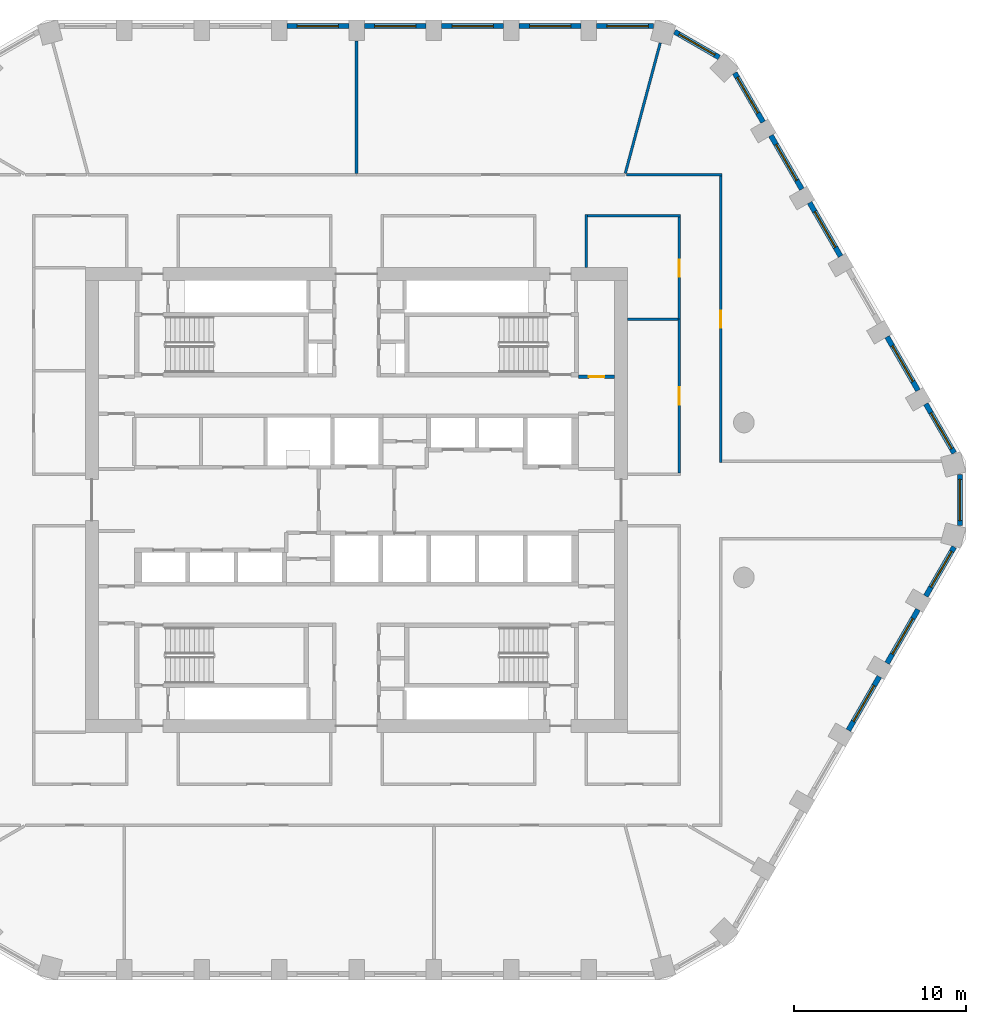
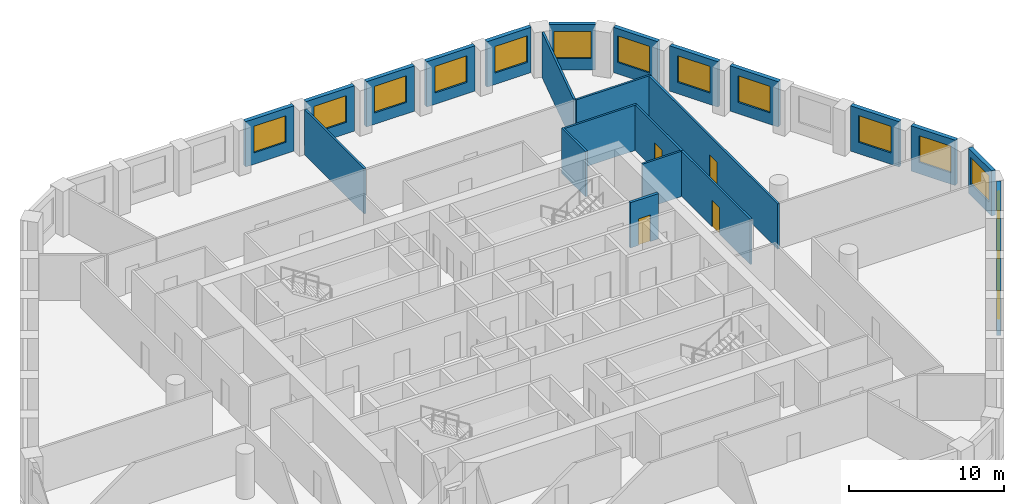
# One storey, part 8 of 10: 25 walls, 15 windows, 4 doors, 19 openings.
"""IFC4 building model written with IfcOpenShell, lengths in metres."""

from ifc_helpers import new_model, si_unit, direction, frame, frame_2d, origin, place, context, subcontext, project, spatial, rectangle, extrude, material, layer, layer_set, type_object, element, fill, save


model = new_model("IFC4")

# Units and contexts
model_context = context("Model", 3, precision=1e-05, world=origin(), true_north=direction((0.0, 1.0)))
body_context = subcontext(model_context, "Body", "Model", "MODEL_VIEW")
ifc_project = project(units=[si_unit("LENGTHUNIT", "METRE"), si_unit("AREAUNIT", "SQUARE_METRE"), si_unit("VOLUMEUNIT", "CUBIC_METRE"), si_unit("PLANEANGLEUNIT", "RADIAN"), si_unit("MASSUNIT", "GRAM", prefix="KILO")], contexts=[model_context])

# Site, building, storey
site_placement = place(None, origin())
site = spatial("IfcSite", under=ifc_project, at=site_placement, CompositionType="ELEMENT")
building_placement = place(site_placement, origin())
building = spatial("IfcBuilding", under=site, at=building_placement, Name="Dhurran Vertical Campus", CompositionType="ELEMENT")
storey_placement = place(building_placement, frame((0.0, 0.0, 152.10009765625)))
storey = spatial("IfcBuildingStorey", under=building, at=storey_placement, Name="L37", CompositionType="ELEMENT", Elevation=152.10009765625)

# Wall, opening, window
ifc_material_1 = material(Name="Precast concrete C50/60", Category="concrete")
ifc_layer_1 = layer(ifc_material_1, 0.300048828125)
ifc_layer_set_1 = layer_set([ifc_layer_1], Name="Precast concrete C50/60")
wall_type_1 = type_object("IfcWallType", Name="Precast spandrel wall 300", PredefinedType="SOLIDWALL", material=ifc_layer_set_1)
wall_1_placement = place(storey_placement, frame((28.5693359375, -13.376220703125, 0.0), z_axis=(0.0, 0.0, 1.0), x_axis=(0.500027802648, 0.866009351323, 0.0)))
wall_1 = element("IfcWall", 1, at=wall_1_placement, inside=storey, type_object=wall_type_1, Name="EW1 L37.12", PredefinedType="SOLIDWALL", context=body_context, shape_type="SweptSolid", body=[
    extrude(rectangle(XDim=3.598876953125, YDim=0.300048828125, at=frame_2d((1.79931640625, 0.0))), origin(), (0.0, 0.0, 1.0), 3.574951171875),
])
opening_1_placement = place(wall_1_placement, frame((0.599609375, 0.0, 0.89990234375)))
opening_1 = element("IfcOpeningElement", 2, at=opening_1_placement, cuts=wall_1, Name="Opening WT1", PredefinedType="OPENING", context=body_context, shape_type="SweptSolid", body=[
    extrude(rectangle(XDim=2.39990234375, YDim=2.10009765625, at=frame_2d((1.199951171875, 1.050048828125))), frame((0.0, 0.159912109375, 0.0), z_axis=(0.0, -1.0, 0.0), x_axis=(1.0, 0.0, 0.0)), (0.0, 0.0, 1.0), 0.320068359375),
])
ifc_material_2 = material(Name="Aluminium frame with solar-control glass", Category="aluminium")
window_type = type_object("IfcWindowType", Name="Punched window 2400 x 2100", PartitioningType="SINGLE_PANEL", PredefinedType="WINDOW", material=ifc_material_2)
window_1_placement = place(opening_1_placement, origin())
window_1 = element("IfcWindow", 3, at=window_1_placement, inside=storey, type_object=window_type, Name="WT1 L37.12", OverallHeight=2.10009765625, OverallWidth=2.39990234375, PartitioningType="SINGLE_PANEL", PredefinedType="WINDOW", context=body_context, shape_type="SweptSolid", body=[
    extrude(rectangle(XDim=2.39990234375, YDim=2.10009765625, at=frame_2d((1.199951171875, 1.050048828125))), frame((0.0, 0.030029296875, 0.0), z_axis=(0.0, -1.0, 0.0), x_axis=(1.0, 0.0, 0.0)), (0.0, 0.0, 1.0), 0.06005859375),
])
fill(opening_1, window_1)

wall_2_placement = place(storey_placement, frame((30.8193359375, -9.47900390625, 0.0), z_axis=(0.0, 0.0, 1.0), x_axis=(0.500027802648, 0.866009351323, 0.0)))
wall_2 = element("IfcWall", 4, at=wall_2_placement, inside=storey, type_object=wall_type_1, Name="EW1 L37.13", PredefinedType="SOLIDWALL", context=body_context, shape_type="SweptSolid", body=[
    extrude(rectangle(XDim=3.598876953125, YDim=0.300048828125, at=frame_2d((1.79931640625, 0.0))), origin(), (0.0, 0.0, 1.0), 3.574951171875),
])
opening_2_placement = place(wall_2_placement, frame((0.599609375, 0.0, 0.89990234375)))
opening_2 = element("IfcOpeningElement", 5, at=opening_2_placement, cuts=wall_2, Name="Opening WT1", PredefinedType="OPENING", context=body_context, shape_type="SweptSolid", body=[
    extrude(rectangle(XDim=2.39990234375, YDim=2.10009765625, at=frame_2d((1.199951171875, 1.050048828125))), frame((0.0, 0.159912109375, 0.0), z_axis=(0.0, -1.0, 0.0), x_axis=(1.0, 0.0, 0.0)), (0.0, 0.0, 1.0), 0.320068359375),
])
window_2_placement = place(opening_2_placement, origin())
window_2 = element("IfcWindow", 6, at=window_2_placement, inside=storey, type_object=window_type, Name="WT1 L37.13", OverallHeight=2.10009765625, OverallWidth=2.39990234375, PartitioningType="SINGLE_PANEL", PredefinedType="WINDOW", context=body_context, shape_type="SweptSolid", body=[
    extrude(rectangle(XDim=2.39990234375, YDim=2.10009765625, at=frame_2d((1.199951171875, 1.050048828125))), frame((0.0, 0.030029296875, 0.0), z_axis=(0.0, -1.0, 0.0), x_axis=(1.0, 0.0, 0.0)), (0.0, 0.0, 1.0), 0.06005859375),
])
fill(opening_2, window_2)

wall_3_placement = place(storey_placement, frame((33.0693359375, -5.58203125, 0.0), z_axis=(0.0, 0.0, 1.0), x_axis=(0.499981217486, 0.866036247602, 0.0)))
wall_3 = element("IfcWall", 7, at=wall_3_placement, inside=storey, type_object=wall_type_1, Name="EW1 L37.14", PredefinedType="SOLIDWALL", context=body_context, shape_type="SweptSolid", body=[
    extrude(rectangle(XDim=3.294189453125, YDim=0.300048828125, at=frame_2d((1.64697265625, 0.0))), origin(), (0.0, 0.0, 1.0), 3.574951171875),
])
opening_3_placement = place(wall_3_placement, frame((0.599609375, 0.0, 0.89990234375)))
opening_3 = element("IfcOpeningElement", 8, at=opening_3_placement, cuts=wall_3, Name="Opening WT1", PredefinedType="OPENING", context=body_context, shape_type="SweptSolid", body=[
    extrude(rectangle(XDim=2.39990234375, YDim=2.10009765625, at=frame_2d((1.199951171875, 1.050048828125))), frame((0.0, 0.159912109375, 0.0), z_axis=(0.0, -1.0, 0.0), x_axis=(1.0, 0.0, 0.0)), (0.0, 0.0, 1.0), 0.320068359375),
])
window_3_placement = place(opening_3_placement, origin())
window_3 = element("IfcWindow", 9, at=window_3_placement, inside=storey, type_object=window_type, Name="WT1 L37.14", OverallHeight=2.10009765625, OverallWidth=2.39990234375, PartitioningType="SINGLE_PANEL", PredefinedType="WINDOW", context=body_context, shape_type="SweptSolid", body=[
    extrude(rectangle(XDim=2.39990234375, YDim=2.10009765625, at=frame_2d((1.199951171875, 1.050048828125))), frame((0.0, 0.030029296875, 0.0), z_axis=(0.0, -1.0, 0.0), x_axis=(1.0, 0.0, 0.0)), (0.0, 0.0, 1.0), 0.06005859375),
])
fill(opening_3, window_3)

wall_4_placement = place(storey_placement, frame((35.047119140625, -1.49462890625, 0.0), z_axis=(0.0, 0.0, 1.0), x_axis=(0.0, 1.0, 0.0)))
wall_4 = element("IfcWall", 10, at=wall_4_placement, inside=storey, type_object=wall_type_1, Name="EW1 L37.15", PredefinedType="SOLIDWALL", context=body_context, shape_type="SweptSolid", body=[
    extrude(rectangle(XDim=2.9892578125, YDim=0.300048828125, at=frame_2d((1.49462890625, 0.0))), origin(), (0.0, 0.0, 1.0), 3.574951171875),
])
opening_4_placement = place(wall_4_placement, frame((0.294677734375, 0.0, 0.89990234375)))
opening_4 = element("IfcOpeningElement", 11, at=opening_4_placement, cuts=wall_4, Name="Opening WT1", PredefinedType="OPENING", context=body_context, shape_type="SweptSolid", body=[
    extrude(rectangle(XDim=2.39990234375, YDim=2.10009765625, at=frame_2d((1.199951171875, 1.050048828125))), frame((0.0, 0.159912109375, 0.0), z_axis=(0.0, -1.0, 0.0), x_axis=(1.0, 0.0, 0.0)), (0.0, 0.0, 1.0), 0.320068359375),
])
window_4_placement = place(opening_4_placement, origin())
window_4 = element("IfcWindow", 12, at=window_4_placement, inside=storey, type_object=window_type, Name="WT1 L37.15", OverallHeight=2.10009765625, OverallWidth=2.39990234375, PartitioningType="SINGLE_PANEL", PredefinedType="WINDOW", context=body_context, shape_type="SweptSolid", body=[
    extrude(rectangle(XDim=2.39990234375, YDim=2.10009765625, at=frame_2d((1.199951171875, 1.050048828125))), frame((0.0, 0.030029296875, 0.0), z_axis=(0.0, -1.0, 0.0), x_axis=(1.0, 0.0, 0.0)), (0.0, 0.0, 1.0), 0.06005859375),
])
fill(opening_4, window_4)

wall_5_placement = place(storey_placement, frame((34.71630859375, 2.729248046875, 0.0), z_axis=(0.0, 0.0, 1.0), x_axis=(-0.499981217486, 0.866036247602, 0.0)))
wall_5 = element("IfcWall", 13, at=wall_5_placement, inside=storey, type_object=wall_type_1, Name="EW1 L37.16", PredefinedType="SOLIDWALL", context=body_context, shape_type="SweptSolid", body=[
    extrude(rectangle(XDim=3.294189453125, YDim=0.300048828125, at=frame_2d((1.64697265625, 0.0))), origin(), (0.0, 0.0, 1.0), 3.574951171875),
])
opening_5_placement = place(wall_5_placement, frame((0.294677734375, 0.0, 0.89990234375)))
opening_5 = element("IfcOpeningElement", 14, at=opening_5_placement, cuts=wall_5, Name="Opening WT1", PredefinedType="OPENING", context=body_context, shape_type="SweptSolid", body=[
    extrude(rectangle(XDim=2.39990234375, YDim=2.10009765625, at=frame_2d((1.199951171875, 1.050048828125))), frame((0.0, 0.159912109375, 0.0), z_axis=(0.0, -1.0, 0.0), x_axis=(1.0, 0.0, 0.0)), (0.0, 0.0, 1.0), 0.320068359375),
])
window_5_placement = place(opening_5_placement, origin())
window_5 = element("IfcWindow", 15, at=window_5_placement, inside=storey, type_object=window_type, Name="WT1 L37.16", OverallHeight=2.10009765625, OverallWidth=2.39990234375, PartitioningType="SINGLE_PANEL", PredefinedType="WINDOW", context=body_context, shape_type="SweptSolid", body=[
    extrude(rectangle(XDim=2.39990234375, YDim=2.10009765625, at=frame_2d((1.199951171875, 1.050048828125))), frame((0.0, 0.030029296875, 0.0), z_axis=(0.0, -1.0, 0.0), x_axis=(1.0, 0.0, 0.0)), (0.0, 0.0, 1.0), 0.06005859375),
])
fill(opening_5, window_5)

wall_6_placement = place(storey_placement, frame((32.618896484375, 6.3623046875, 0.0), z_axis=(0.0, 0.0, 1.0), x_axis=(-0.500027802648, 0.866009351323, 0.0)))
wall_6 = element("IfcWall", 16, at=wall_6_placement, inside=storey, type_object=wall_type_1, Name="EW1 L37.17", PredefinedType="SOLIDWALL", context=body_context, shape_type="SweptSolid", body=[
    extrude(rectangle(XDim=3.598876953125, YDim=0.300048828125, at=frame_2d((1.79931640625, 0.0))), origin(), (0.0, 0.0, 1.0), 3.574951171875),
])
opening_6_placement = place(wall_6_placement, frame((0.599609375, 0.0, 0.89990234375)))
opening_6 = element("IfcOpeningElement", 17, at=opening_6_placement, cuts=wall_6, Name="Opening WT1", PredefinedType="OPENING", context=body_context, shape_type="SweptSolid", body=[
    extrude(rectangle(XDim=2.39990234375, YDim=2.10009765625, at=frame_2d((1.199951171875, 1.050048828125))), frame((0.0, 0.159912109375, 0.0), z_axis=(0.0, -1.0, 0.0), x_axis=(1.0, 0.0, 0.0)), (0.0, 0.0, 1.0), 0.320068359375),
])
window_6_placement = place(opening_6_placement, origin())
window_6 = element("IfcWindow", 18, at=window_6_placement, inside=storey, type_object=window_type, Name="WT1 L37.17", OverallHeight=2.10009765625, OverallWidth=2.39990234375, PartitioningType="SINGLE_PANEL", PredefinedType="WINDOW", context=body_context, shape_type="SweptSolid", body=[
    extrude(rectangle(XDim=2.39990234375, YDim=2.10009765625, at=frame_2d((1.199951171875, 1.050048828125))), frame((0.0, 0.030029296875, 0.0), z_axis=(0.0, -1.0, 0.0), x_axis=(1.0, 0.0, 0.0)), (0.0, 0.0, 1.0), 0.06005859375),
])
fill(opening_6, window_6)

wall_7_placement = place(storey_placement, frame((28.118896484375, 14.156494140625, 0.0), z_axis=(0.0, 0.0, 1.0), x_axis=(-0.500027802648, 0.866009351323, 0.0)))
wall_7 = element("IfcWall", 19, at=wall_7_placement, inside=storey, type_object=wall_type_1, Name="EW1 L37.19", PredefinedType="SOLIDWALL", context=body_context, shape_type="SweptSolid", body=[
    extrude(rectangle(XDim=3.598876953125, YDim=0.300048828125, at=frame_2d((1.79931640625, 0.0))), origin(), (0.0, 0.0, 1.0), 3.574951171875),
])
opening_7_placement = place(wall_7_placement, frame((0.599609375, 0.0, 0.89990234375)))
opening_7 = element("IfcOpeningElement", 20, at=opening_7_placement, cuts=wall_7, Name="Opening WT1", PredefinedType="OPENING", context=body_context, shape_type="SweptSolid", body=[
    extrude(rectangle(XDim=2.39990234375, YDim=2.10009765625, at=frame_2d((1.199951171875, 1.050048828125))), frame((0.0, 0.159912109375, 0.0), z_axis=(0.0, -1.0, 0.0), x_axis=(1.0, 0.0, 0.0)), (0.0, 0.0, 1.0), 0.320068359375),
])
window_7_placement = place(opening_7_placement, origin())
window_7 = element("IfcWindow", 21, at=window_7_placement, inside=storey, type_object=window_type, Name="WT1 L37.19", OverallHeight=2.10009765625, OverallWidth=2.39990234375, PartitioningType="SINGLE_PANEL", PredefinedType="WINDOW", context=body_context, shape_type="SweptSolid", body=[
    extrude(rectangle(XDim=2.39990234375, YDim=2.10009765625, at=frame_2d((1.199951171875, 1.050048828125))), frame((0.0, 0.030029296875, 0.0), z_axis=(0.0, -1.0, 0.0), x_axis=(1.0, 0.0, 0.0)), (0.0, 0.0, 1.0), 0.06005859375),
])
fill(opening_7, window_7)

wall_8_placement = place(storey_placement, frame((25.868896484375, 18.0537109375, 0.0), z_axis=(0.0, 0.0, 1.0), x_axis=(-0.500027802648, 0.866009351323, 0.0)))
wall_8 = element("IfcWall", 22, at=wall_8_placement, inside=storey, type_object=wall_type_1, Name="EW1 L37.20", PredefinedType="SOLIDWALL", context=body_context, shape_type="SweptSolid", body=[
    extrude(rectangle(XDim=3.598876953125, YDim=0.300048828125, at=frame_2d((1.79931640625, 0.0))), origin(), (0.0, 0.0, 1.0), 3.574951171875),
])
opening_8_placement = place(wall_8_placement, frame((0.599609375, 0.0, 0.89990234375)))
opening_8 = element("IfcOpeningElement", 23, at=opening_8_placement, cuts=wall_8, Name="Opening WT1", PredefinedType="OPENING", context=body_context, shape_type="SweptSolid", body=[
    extrude(rectangle(XDim=2.39990234375, YDim=2.10009765625, at=frame_2d((1.199951171875, 1.050048828125))), frame((0.0, 0.159912109375, 0.0), z_axis=(0.0, -1.0, 0.0), x_axis=(1.0, 0.0, 0.0)), (0.0, 0.0, 1.0), 0.320068359375),
])
window_8_placement = place(opening_8_placement, origin())
window_8 = element("IfcWindow", 24, at=window_8_placement, inside=storey, type_object=window_type, Name="WT1 L37.20", OverallHeight=2.10009765625, OverallWidth=2.39990234375, PartitioningType="SINGLE_PANEL", PredefinedType="WINDOW", context=body_context, shape_type="SweptSolid", body=[
    extrude(rectangle(XDim=2.39990234375, YDim=2.10009765625, at=frame_2d((1.199951171875, 1.050048828125))), frame((0.0, 0.030029296875, 0.0), z_axis=(0.0, -1.0, 0.0), x_axis=(1.0, 0.0, 0.0)), (0.0, 0.0, 1.0), 0.06005859375),
])
fill(opening_8, window_8)

wall_9_placement = place(storey_placement, frame((23.618896484375, 21.95068359375, 0.0), z_axis=(0.0, 0.0, 1.0), x_axis=(-0.500036802197, 0.866004154983, 0.0)))
wall_9 = element("IfcWall", 25, at=wall_9_placement, inside=storey, type_object=wall_type_1, Name="EW1 L37.21", PredefinedType="SOLIDWALL", context=body_context, shape_type="SweptSolid", body=[
    extrude(rectangle(XDim=3.294189453125, YDim=0.300048828125, at=frame_2d((1.64697265625, 0.0))), origin(), (0.0, 0.0, 1.0), 3.574951171875),
])
opening_9_placement = place(wall_9_placement, frame((0.599609375, 0.0, 0.89990234375)))
opening_9 = element("IfcOpeningElement", 26, at=opening_9_placement, cuts=wall_9, Name="Opening WT1", PredefinedType="OPENING", context=body_context, shape_type="SweptSolid", body=[
    extrude(rectangle(XDim=2.39990234375, YDim=2.10009765625, at=frame_2d((1.199951171875, 1.050048828125))), frame((0.0, 0.159912109375, 0.0), z_axis=(0.0, -1.0, 0.0), x_axis=(1.0, 0.0, 0.0)), (0.0, 0.0, 1.0), 0.320068359375),
])
window_9_placement = place(opening_9_placement, origin())
window_9 = element("IfcWindow", 27, at=window_9_placement, inside=storey, type_object=window_type, Name="WT1 L37.21", OverallHeight=2.10009765625, OverallWidth=2.39990234375, PartitioningType="SINGLE_PANEL", PredefinedType="WINDOW", context=body_context, shape_type="SweptSolid", body=[
    extrude(rectangle(XDim=2.39990234375, YDim=2.10009765625, at=frame_2d((1.199951171875, 1.050048828125))), frame((0.0, 0.030029296875, 0.0), z_axis=(0.0, -1.0, 0.0), x_axis=(1.0, 0.0, 0.0)), (0.0, 0.0, 1.0), 0.06005859375),
])
fill(opening_9, window_9)

wall_10_placement = place(storey_placement, frame((21.06787109375, 25.707275390625, 0.0), z_axis=(0.0, 0.0, 1.0), x_axis=(-0.866012844897, 0.500021752, 0.0)))
wall_10 = element("IfcWall", 28, at=wall_10_placement, inside=storey, type_object=wall_type_1, Name="EW1 L37.22", PredefinedType="SOLIDWALL", context=body_context, shape_type="SweptSolid", body=[
    extrude(rectangle(XDim=2.989013671875, YDim=0.300048828125, at=frame_2d((1.49462890625, 0.0))), origin(), (0.0, 0.0, 1.0), 3.574951171875),
])
opening_10_placement = place(wall_10_placement, frame((0.294677734375, 0.0, 0.89990234375)))
opening_10 = element("IfcOpeningElement", 29, at=opening_10_placement, cuts=wall_10, Name="Opening WT1", PredefinedType="OPENING", context=body_context, shape_type="SweptSolid", body=[
    extrude(rectangle(XDim=2.39990234375, YDim=2.10009765625, at=frame_2d((1.199951171875, 1.050048828125))), frame((0.0, 0.159912109375, 0.0), z_axis=(0.0, -1.0, 0.0), x_axis=(1.0, 0.0, 0.0)), (0.0, 0.0, 1.0), 0.320068359375),
])
window_10_placement = place(opening_10_placement, origin())
window_10 = element("IfcWindow", 30, at=window_10_placement, inside=storey, type_object=window_type, Name="WT1 L37.22", OverallHeight=2.10009765625, OverallWidth=2.39990234375, PartitioningType="SINGLE_PANEL", PredefinedType="WINDOW", context=body_context, shape_type="SweptSolid", body=[
    extrude(rectangle(XDim=2.39990234375, YDim=2.10009765625, at=frame_2d((1.199951171875, 1.050048828125))), frame((0.0, 0.030029296875, 0.0), z_axis=(0.0, -1.0, 0.0), x_axis=(1.0, 0.0, 0.0)), (0.0, 0.0, 1.0), 0.06005859375),
])
fill(opening_10, window_10)

wall_11_placement = place(storey_placement, frame((17.24462890625, 27.53271484375, 0.0), z_axis=(0.0, 0.0, 1.0), x_axis=(-1.0, 0.0, 0.0)))
wall_11 = element("IfcWall", 31, at=wall_11_placement, inside=storey, type_object=wall_type_1, Name="EW1 L37.23", PredefinedType="SOLIDWALL", context=body_context, shape_type="SweptSolid", body=[
    extrude(rectangle(XDim=3.294189453125, YDim=0.300048828125, at=frame_2d((1.64697265625, 0.0))), origin(), (0.0, 0.0, 1.0), 3.574951171875),
])
opening_11_placement = place(wall_11_placement, frame((0.294677734375, 0.0, 0.89990234375)))
opening_11 = element("IfcOpeningElement", 32, at=opening_11_placement, cuts=wall_11, Name="Opening WT1", PredefinedType="OPENING", context=body_context, shape_type="SweptSolid", body=[
    extrude(rectangle(XDim=2.39990234375, YDim=2.10009765625, at=frame_2d((1.199951171875, 1.050048828125))), frame((0.0, 0.159912109375, 0.0), z_axis=(0.0, -1.0, 0.0), x_axis=(1.0, 0.0, 0.0)), (0.0, 0.0, 1.0), 0.320068359375),
])
window_11_placement = place(opening_11_placement, origin())
window_11 = element("IfcWindow", 33, at=window_11_placement, inside=storey, type_object=window_type, Name="WT1 L37.23", OverallHeight=2.10009765625, OverallWidth=2.39990234375, PartitioningType="SINGLE_PANEL", PredefinedType="WINDOW", context=body_context, shape_type="SweptSolid", body=[
    extrude(rectangle(XDim=2.39990234375, YDim=2.10009765625, at=frame_2d((1.199951171875, 1.050048828125))), frame((0.0, 0.030029296875, 0.0), z_axis=(0.0, -1.0, 0.0), x_axis=(1.0, 0.0, 0.0)), (0.0, 0.0, 1.0), 0.06005859375),
])
fill(opening_11, window_11)

wall_12_placement = place(storey_placement, frame((13.049560546875, 27.53271484375, 0.0), z_axis=(0.0, 0.0, 1.0), x_axis=(-1.0, 0.0, 0.0)))
wall_12 = element("IfcWall", 34, at=wall_12_placement, inside=storey, type_object=wall_type_1, Name="EW1 L37.24", PredefinedType="SOLIDWALL", context=body_context, shape_type="SweptSolid", body=[
    extrude(rectangle(XDim=3.59912109375, YDim=0.300048828125, at=frame_2d((1.799560546875, 0.0))), origin(), (0.0, 0.0, 1.0), 3.574951171875),
])
opening_12_placement = place(wall_12_placement, frame((0.599609375, 0.0, 0.89990234375)))
opening_12 = element("IfcOpeningElement", 35, at=opening_12_placement, cuts=wall_12, Name="Opening WT1", PredefinedType="OPENING", context=body_context, shape_type="SweptSolid", body=[
    extrude(rectangle(XDim=2.39990234375, YDim=2.10009765625, at=frame_2d((1.199951171875, 1.050048828125))), frame((0.0, 0.159912109375, 0.0), z_axis=(0.0, -1.0, 0.0), x_axis=(1.0, 0.0, 0.0)), (0.0, 0.0, 1.0), 0.320068359375),
])
window_12_placement = place(opening_12_placement, origin())
window_12 = element("IfcWindow", 36, at=window_12_placement, inside=storey, type_object=window_type, Name="WT1 L37.24", OverallHeight=2.10009765625, OverallWidth=2.39990234375, PartitioningType="SINGLE_PANEL", PredefinedType="WINDOW", context=body_context, shape_type="SweptSolid", body=[
    extrude(rectangle(XDim=2.39990234375, YDim=2.10009765625, at=frame_2d((1.199951171875, 1.050048828125))), frame((0.0, 0.030029296875, 0.0), z_axis=(0.0, -1.0, 0.0), x_axis=(1.0, 0.0, 0.0)), (0.0, 0.0, 1.0), 0.06005859375),
])
fill(opening_12, window_12)

wall_13_placement = place(storey_placement, frame((8.549560546875, 27.53271484375, 0.0), z_axis=(0.0, 0.0, 1.0), x_axis=(-1.0, 0.0, 0.0)))
wall_13 = element("IfcWall", 37, at=wall_13_placement, inside=storey, type_object=wall_type_1, Name="EW1 L37.25", PredefinedType="SOLIDWALL", context=body_context, shape_type="SweptSolid", body=[
    extrude(rectangle(XDim=3.59912109375, YDim=0.300048828125, at=frame_2d((1.799560546875, 0.0))), origin(), (0.0, 0.0, 1.0), 3.574951171875),
])
opening_13_placement = place(wall_13_placement, frame((0.599609375, 0.0, 0.89990234375)))
opening_13 = element("IfcOpeningElement", 38, at=opening_13_placement, cuts=wall_13, Name="Opening WT1", PredefinedType="OPENING", context=body_context, shape_type="SweptSolid", body=[
    extrude(rectangle(XDim=2.39990234375, YDim=2.10009765625, at=frame_2d((1.199951171875, 1.050048828125))), frame((0.0, 0.159912109375, 0.0), z_axis=(0.0, -1.0, 0.0), x_axis=(1.0, 0.0, 0.0)), (0.0, 0.0, 1.0), 0.320068359375),
])
window_13_placement = place(opening_13_placement, origin())
window_13 = element("IfcWindow", 39, at=window_13_placement, inside=storey, type_object=window_type, Name="WT1 L37.25", OverallHeight=2.10009765625, OverallWidth=2.39990234375, PartitioningType="SINGLE_PANEL", PredefinedType="WINDOW", context=body_context, shape_type="SweptSolid", body=[
    extrude(rectangle(XDim=2.39990234375, YDim=2.10009765625, at=frame_2d((1.199951171875, 1.050048828125))), frame((0.0, 0.030029296875, 0.0), z_axis=(0.0, -1.0, 0.0), x_axis=(1.0, 0.0, 0.0)), (0.0, 0.0, 1.0), 0.06005859375),
])
fill(opening_13, window_13)

wall_14_placement = place(storey_placement, frame((4.049560546875, 27.53271484375, 0.0), z_axis=(0.0, 0.0, 1.0), x_axis=(-1.0, 0.0, 0.0)))
wall_14 = element("IfcWall", 40, at=wall_14_placement, inside=storey, type_object=wall_type_1, Name="EW1 L37.26", PredefinedType="SOLIDWALL", context=body_context, shape_type="SweptSolid", body=[
    extrude(rectangle(XDim=3.59912109375, YDim=0.300048828125, at=frame_2d((1.799560546875, 0.0))), origin(), (0.0, 0.0, 1.0), 3.574951171875),
])
opening_14_placement = place(wall_14_placement, frame((0.599609375, 0.0, 0.89990234375)))
opening_14 = element("IfcOpeningElement", 41, at=opening_14_placement, cuts=wall_14, Name="Opening WT1", PredefinedType="OPENING", context=body_context, shape_type="SweptSolid", body=[
    extrude(rectangle(XDim=2.39990234375, YDim=2.10009765625, at=frame_2d((1.199951171875, 1.050048828125))), frame((0.0, 0.159912109375, 0.0), z_axis=(0.0, -1.0, 0.0), x_axis=(1.0, 0.0, 0.0)), (0.0, 0.0, 1.0), 0.320068359375),
])
window_14_placement = place(opening_14_placement, origin())
window_14 = element("IfcWindow", 42, at=window_14_placement, inside=storey, type_object=window_type, Name="WT1 L37.26", OverallHeight=2.10009765625, OverallWidth=2.39990234375, PartitioningType="SINGLE_PANEL", PredefinedType="WINDOW", context=body_context, shape_type="SweptSolid", body=[
    extrude(rectangle(XDim=2.39990234375, YDim=2.10009765625, at=frame_2d((1.199951171875, 1.050048828125))), frame((0.0, 0.030029296875, 0.0), z_axis=(0.0, -1.0, 0.0), x_axis=(1.0, 0.0, 0.0)), (0.0, 0.0, 1.0), 0.06005859375),
])
fill(opening_14, window_14)

wall_15_placement = place(storey_placement, frame((-0.450439453125, 27.53271484375, 0.0), z_axis=(0.0, 0.0, 1.0), x_axis=(-1.0, 0.0, 0.0)))
wall_15 = element("IfcWall", 43, at=wall_15_placement, inside=storey, type_object=wall_type_1, Name="EW1 L37.27", PredefinedType="SOLIDWALL", context=body_context, shape_type="SweptSolid", body=[
    extrude(rectangle(XDim=3.59912109375, YDim=0.300048828125, at=frame_2d((1.799560546875, 0.0))), origin(), (0.0, 0.0, 1.0), 3.574951171875),
])
opening_15_placement = place(wall_15_placement, frame((0.599609375, 0.0, 0.89990234375)))
opening_15 = element("IfcOpeningElement", 44, at=opening_15_placement, cuts=wall_15, Name="Opening WT1", PredefinedType="OPENING", context=body_context, shape_type="SweptSolid", body=[
    extrude(rectangle(XDim=2.39990234375, YDim=2.10009765625, at=frame_2d((1.199951171875, 1.050048828125))), frame((0.0, 0.159912109375, 0.0), z_axis=(0.0, -1.0, 0.0), x_axis=(1.0, 0.0, 0.0)), (0.0, 0.0, 1.0), 0.320068359375),
])
window_15_placement = place(opening_15_placement, origin())
window_15 = element("IfcWindow", 45, at=window_15_placement, inside=storey, type_object=window_type, Name="WT1 L37.27", OverallHeight=2.10009765625, OverallWidth=2.39990234375, PartitioningType="SINGLE_PANEL", PredefinedType="WINDOW", context=body_context, shape_type="SweptSolid", body=[
    extrude(rectangle(XDim=2.39990234375, YDim=2.10009765625, at=frame_2d((1.199951171875, 1.050048828125))), frame((0.0, 0.030029296875, 0.0), z_axis=(0.0, -1.0, 0.0), x_axis=(1.0, 0.0, 0.0)), (0.0, 0.0, 1.0), 0.06005859375),
])
fill(opening_15, window_15)

# Wall, opening, door
ifc_material_3 = material(Name="Fire-rated masonry blockwork", Category="masonry")
ifc_layer_2 = layer(ifc_material_3, 0.199951171875)
ifc_layer_set_2 = layer_set([ifc_layer_2], Name="Fire-rated masonry blockwork")
wall_type_2 = type_object("IfcWallType", Name="co-FIRE-PARTITION-200", PredefinedType="PARTITIONING", material=ifc_layer_set_2)
wall_16_placement = place(storey_placement, frame((12.89990234375, 7.14990234375, 0.0), z_axis=(0.0, 0.0, 1.0), x_axis=(1.0, 0.0, 0.0)))
wall_16 = element("IfcWall", 46, at=wall_16_placement, inside=storey, type_object=wall_type_2, Name="Core partition en-NE-w L37", PredefinedType="PARTITIONING", context=body_context, shape_type="SweptSolid", body=[
    extrude(rectangle(XDim=2.10009765625, YDim=0.199951171875, at=frame_2d((1.050048828125, 0.0))), origin(), (0.0, 0.0, 1.0), 3.574951171875),
])
opening_16_placement = place(wall_16_placement, frame((0.60009765625, 0.0, 0.0)))
opening_16 = element("IfcOpeningElement", 47, at=opening_16_placement, cuts=wall_16, Name="Opening T10-C17", PredefinedType="OPENING", context=body_context, shape_type="SweptSolid", body=[
    extrude(rectangle(XDim=0.89990234375, YDim=2.10009765625, at=frame_2d((0.449951171875, 1.050048828125))), frame((0.0, 0.10986328125, 0.0), z_axis=(0.0, -1.0, 0.0), x_axis=(1.0, 0.0, 0.0)), (0.0, 0.0, 1.0), 0.219970703125),
])
ifc_material_4 = material(Name="Fire-rated timber door set", Category="wood")
door_type_1 = type_object("IfcDoorType", Name="co-D-ROOM 900x2100", OperationType="SINGLE_SWING_LEFT", PredefinedType="DOOR", material=ifc_material_4)
door_1_placement = place(opening_16_placement, origin())
door_1 = element("IfcDoor", 48, at=door_1_placement, inside=storey, type_object=door_type_1, Name="Fire equipment store door L37", OperationType="SINGLE_SWING_LEFT", OverallHeight=2.10009765625, OverallWidth=0.89990234375, PredefinedType="DOOR", context=body_context, shape_type="SweptSolid", body=[
    extrude(rectangle(XDim=0.89990234375, YDim=2.10009765625, at=frame_2d((0.449951171875, 1.050048828125))), frame((0.0, 0.02490234375, 0.0), z_axis=(0.0, -1.0, 0.0), x_axis=(1.0, 0.0, 0.0)), (0.0, 0.0, 1.0), 0.050048828125),
])
fill(opening_16, door_1)

# Walls
ifc_material_5 = material(Name="Gypsum board corridor wall on steel studs", Category="steel")
ifc_layer_3 = layer(ifc_material_5, 0.14990234375)
ifc_layer_set_3 = layer_set([ifc_layer_3], Name="Gypsum board corridor wall on steel studs")
wall_type_3 = type_object("IfcWallType", Name="fl-CW-150 corridor wall", PredefinedType="PARTITIONING", material=ifc_layer_set_3)
wall_17_placement = place(storey_placement, frame((13.35009765625, 13.5, 0.0), z_axis=(0.0, 0.0, 1.0), x_axis=(0.0, 1.0, 0.0)))
element("IfcWall", 49, at=wall_17_placement, inside=storey, type_object=wall_type_3, Name="Partition 37-47", PredefinedType="PARTITIONING", context=body_context, shape_type="SweptSolid", body=[
    extrude(rectangle(XDim=3.074951171875, YDim=0.14990234375, at=frame_2d((1.53759765625, 0.0))), origin(), (0.0, 0.0, 1.0), 3.574951171875),
])
wall_18_placement = place(storey_placement, frame((13.425048828125, 16.5, 0.0), z_axis=(0.0, 0.0, 1.0), x_axis=(1.0, 0.0, 0.0)))
element("IfcWall", 50, at=wall_18_placement, inside=storey, type_object=wall_type_3, Name="Partition 37-48", PredefinedType="PARTITIONING", context=body_context, shape_type="SweptSolid", body=[
    extrude(rectangle(XDim=5.39990234375, YDim=0.14990234375, at=frame_2d((2.699951171875, 0.0))), origin(), (0.0, 0.0, 1.0), 3.574951171875),
])
wall_19_placement = place(storey_placement, frame((21.22509765625, 18.89990234375, 0.0), z_axis=(0.0, 0.0, 1.0), x_axis=(-1.0, 0.0, 0.0)))
element("IfcWall", 51, at=wall_19_placement, inside=storey, type_object=wall_type_3, Name="Partition 37-52", PredefinedType="PARTITIONING", context=body_context, shape_type="SweptSolid", body=[
    extrude(rectangle(XDim=5.537109375, YDim=0.14990234375, at=frame_2d((2.7685546875, 0.0))), origin(), (0.0, 0.0, 1.0), 3.574951171875),
])

# Wall, opening, door
wall_20_placement = place(storey_placement, frame((18.75, 10.5, 0.0), z_axis=(0.0, 0.0, 1.0), x_axis=(0.0, -1.0, 0.0)))
wall_20 = element("IfcWall", 52, at=wall_20_placement, inside=storey, type_object=wall_type_3, Name="Partition 37-59", PredefinedType="PARTITIONING", context=body_context, shape_type="SweptSolid", body=[
    extrude(rectangle(XDim=8.925048828125, YDim=0.14990234375, at=frame_2d((4.46240234375, 0.0))), origin(), (0.0, 0.0, 1.0), 3.574951171875),
])
opening_17_placement = place(wall_20_placement, frame((3.96240234375, 0.0, 0.0)))
opening_17 = element("IfcOpeningElement", 53, at=opening_17_placement, cuts=wall_20, Name="Opening T10.21", PredefinedType="OPENING", context=body_context, shape_type="SweptSolid", body=[
    extrude(rectangle(XDim=1.0, YDim=2.10009765625, at=frame_2d((0.5, 1.050048828125))), frame((0.0, 0.0849609375, 0.0), z_axis=(0.0, -1.0, 0.0), x_axis=(1.0, 0.0, 0.0)), (0.0, 0.0, 1.0), 0.169921875),
])
ifc_material_6 = material(Name="Solid-core timber door set, fire-rated", Category="wood")
door_type_2 = type_object("IfcDoorType", Name="fl-D-1000x2100", OperationType="SINGLE_SWING_LEFT", PredefinedType="DOOR", material=ifc_material_6)
door_2_placement = place(opening_17_placement, origin())
door_2 = element("IfcDoor", 54, at=door_2_placement, inside=storey, type_object=door_type_2, Name="Door 37.21", OperationType="SINGLE_SWING_RIGHT", OverallHeight=2.10009765625, OverallWidth=1.0, PredefinedType="DOOR", context=body_context, shape_type="SweptSolid", body=[
    extrude(rectangle(XDim=1.0, YDim=2.10009765625, at=frame_2d((0.5, 1.050048828125))), frame((0.0, 0.02490234375, 0.0), z_axis=(0.0, -1.0, 0.0), x_axis=(1.0, 0.0, 0.0)), (0.0, 0.0, 1.0), 0.050048828125),
])
fill(opening_17, door_2)

wall_21_placement = place(storey_placement, frame((18.75, 16.425048828125, 0.0), z_axis=(0.0, 0.0, 1.0), x_axis=(0.0, -1.0, 0.0)))
wall_21 = element("IfcWall", 55, at=wall_21_placement, inside=storey, type_object=wall_type_3, Name="Partition 37-60", PredefinedType="PARTITIONING", context=body_context, shape_type="SweptSolid", body=[
    extrude(rectangle(XDim=5.925048828125, YDim=0.14990234375, at=frame_2d((2.96240234375, 0.0))), origin(), (0.0, 0.0, 1.0), 3.574951171875),
])
opening_18_placement = place(wall_21_placement, frame((2.46240234375, 0.0, 0.0)))
opening_18 = element("IfcOpeningElement", 56, at=opening_18_placement, cuts=wall_21, Name="Opening T10.19", PredefinedType="OPENING", context=body_context, shape_type="SweptSolid", body=[
    extrude(rectangle(XDim=1.0, YDim=2.10009765625, at=frame_2d((0.5, 1.050048828125))), frame((0.0, 0.0849609375, 0.0), z_axis=(0.0, -1.0, 0.0), x_axis=(1.0, 0.0, 0.0)), (0.0, 0.0, 1.0), 0.169921875),
])
door_3_placement = place(opening_18_placement, origin())
door_3 = element("IfcDoor", 57, at=door_3_placement, inside=storey, type_object=door_type_2, Name="Door 37.19", OperationType="SINGLE_SWING_RIGHT", OverallHeight=2.10009765625, OverallWidth=1.0, PredefinedType="DOOR", context=body_context, shape_type="SweptSolid", body=[
    extrude(rectangle(XDim=1.0, YDim=2.10009765625, at=frame_2d((0.5, 1.050048828125))), frame((0.0, 0.02490234375, 0.0), z_axis=(0.0, -1.0, 0.0), x_axis=(1.0, 0.0, 0.0)), (0.0, 0.0, 1.0), 0.050048828125),
])
fill(opening_18, door_3)

wall_22_placement = place(storey_placement, frame((21.14990234375, 2.175048828125, 0.0), z_axis=(0.0, 0.0, 1.0), x_axis=(0.0, 1.0, 0.0)))
wall_22 = element("IfcWall", 58, at=wall_22_placement, inside=storey, type_object=wall_type_3, Name="Partition 37-65", PredefinedType="PARTITIONING", context=body_context, shape_type="SweptSolid", body=[
    extrude(rectangle(XDim=16.64990234375, YDim=0.14990234375, at=frame_2d((8.324951171875, 0.0))), origin(), (0.0, 0.0, 1.0), 3.574951171875),
])
opening_19_placement = place(wall_22_placement, frame((7.824951171875, 0.0, 0.0)))
opening_19 = element("IfcOpeningElement", 59, at=opening_19_placement, cuts=wall_22, Name="Opening T10.23", PredefinedType="OPENING", context=body_context, shape_type="SweptSolid", body=[
    extrude(rectangle(XDim=1.0, YDim=2.10009765625, at=frame_2d((0.5, 1.050048828125))), frame((0.0, 0.0849609375, 0.0), z_axis=(0.0, -1.0, 0.0), x_axis=(1.0, 0.0, 0.0)), (0.0, 0.0, 1.0), 0.169921875),
])
door_4_placement = place(opening_19_placement, origin())
door_4 = element("IfcDoor", 60, at=door_4_placement, inside=storey, type_object=door_type_2, Name="Door 37.23", OperationType="SINGLE_SWING_RIGHT", OverallHeight=2.10009765625, OverallWidth=1.0, PredefinedType="DOOR", context=body_context, shape_type="SweptSolid", body=[
    extrude(rectangle(XDim=1.0, YDim=2.10009765625, at=frame_2d((0.5, 1.050048828125))), frame((0.0, 0.02490234375, 0.0), z_axis=(0.0, -1.0, 0.0), x_axis=(1.0, 0.0, 0.0)), (0.0, 0.0, 1.0), 0.050048828125),
])
fill(opening_19, door_4)

# Walls
ifc_material_7 = material(Name="Gypsum board partition on steel studs", Category="steel")
ifc_layer_4 = layer(ifc_material_7, 0.14990234375)
ifc_layer_set_4 = layer_set([ifc_layer_4], Name="Gypsum board partition on steel studs")
wall_type_4 = type_object("IfcWallType", Name="fl-PW-150 fixed partition", PredefinedType="PARTITIONING", material=ifc_layer_set_4)
wall_23_placement = place(storey_placement, frame((0.0, 26.66259765625, 0.0), z_axis=(0.0, 0.0, 1.0), x_axis=(0.0, -1.0, 0.0)))
element("IfcWall", 61, at=wall_23_placement, inside=storey, type_object=wall_type_4, Name="Partition 37-35", PredefinedType="PARTITIONING", context=body_context, shape_type="SweptSolid", body=[
    extrude(rectangle(XDim=7.6875, YDim=0.14990234375, at=frame_2d((3.84375, 0.0))), origin(), (0.0, 0.0, 1.0), 3.574951171875),
])
wall_24_placement = place(storey_placement, frame((17.642822265625, 26.548828125, 0.0), z_axis=(0.0, 0.0, 1.0), x_axis=(-0.258869363255, -0.965912342176, 0.0)))
element("IfcWall", 62, at=wall_24_placement, inside=storey, type_object=wall_type_4, Name="Partition 37-51", PredefinedType="PARTITIONING", context=body_context, shape_type="SweptSolid", body=[
    extrude(rectangle(XDim=7.84375, YDim=0.14990234375, at=frame_2d((3.921875, 0.0))), origin(), (0.0, 0.0, 1.0), 3.574951171875),
])
wall_25_placement = place(storey_placement, frame((18.675048828125, 10.5, 0.0), z_axis=(0.0, 0.0, 1.0), x_axis=(-1.0, 0.0, 0.0)))
element("IfcWall", 63, at=wall_25_placement, inside=storey, type_object=wall_type_4, Name="Partition 37-56", PredefinedType="PARTITIONING", context=body_context, shape_type="SweptSolid", body=[
    extrude(rectangle(XDim=2.925048828125, YDim=0.14990234375, at=frame_2d((1.46240234375, 0.0))), origin(), (0.0, 0.0, 1.0), 3.574951171875),
])

save(model, "model.ifc")
